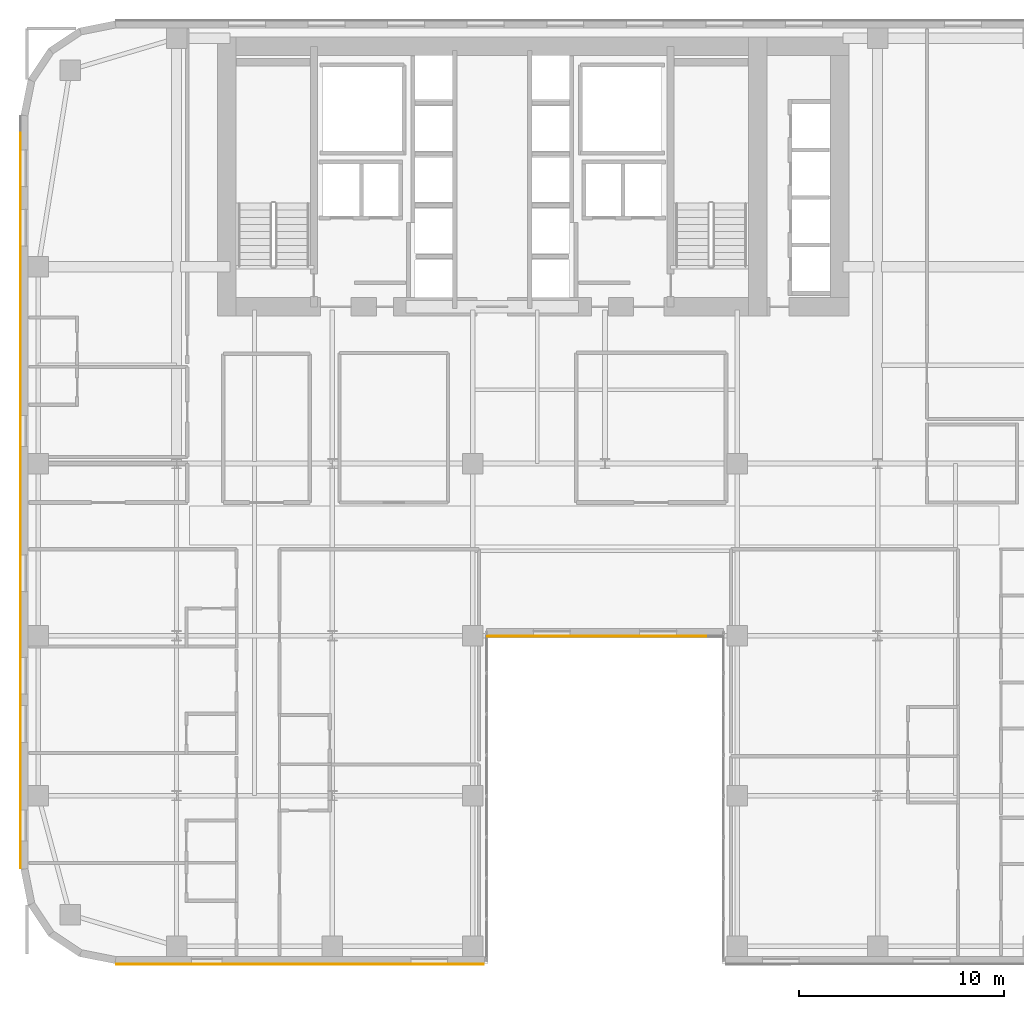
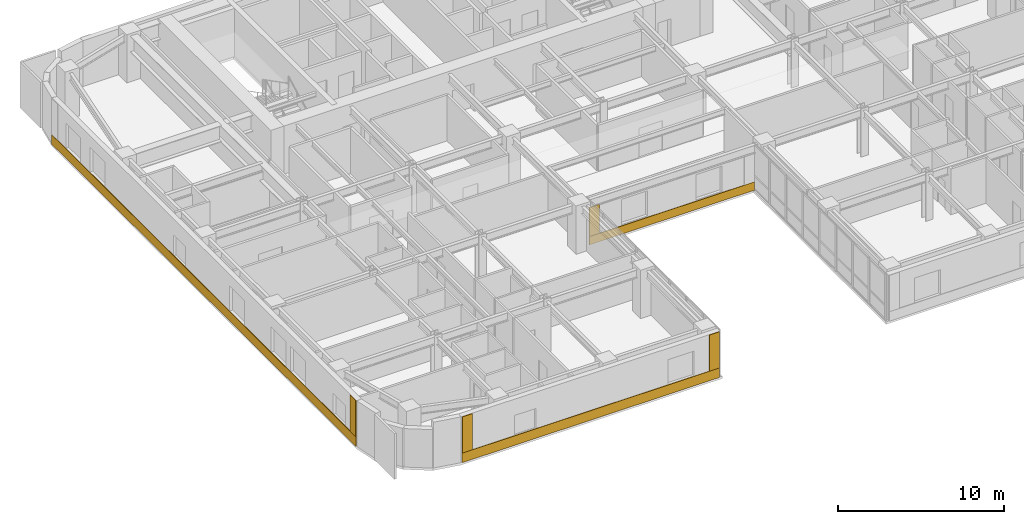
# One storey, part 20 of 25: 7 coverings.
"""IFC4 building model written with IfcOpenShell, lengths in metres."""

from ifc_helpers import new_model, si_unit, direction, frame, origin, place, context, subcontext, project, spatial, polyline, outline, extrude, material, layer, layer_set, type_object, element, save


model = new_model("IFC4")

# Units and contexts
model_context = context("Model", 3, precision=1e-05, world=origin(), true_north=direction((0.0, 1.0)))
body_context = subcontext(model_context, "Body", "Model", "MODEL_VIEW")
ifc_project = project(units=[si_unit("LENGTHUNIT", "METRE"), si_unit("AREAUNIT", "SQUARE_METRE"), si_unit("VOLUMEUNIT", "CUBIC_METRE"), si_unit("PLANEANGLEUNIT", "RADIAN"), si_unit("MASSUNIT", "GRAM", prefix="KILO")], contexts=[model_context])

# Site, building, storey
site_placement = place(None, origin())
site = spatial("IfcSite", under=ifc_project, at=site_placement, CompositionType="ELEMENT")
building_placement = place(site_placement, origin())
building = spatial("IfcBuilding", under=site, at=building_placement, Name="Tolvann Quenvar Hotel", CompositionType="ELEMENT")
storey_placement = place(building_placement, frame((0.0, 0.0, 60.39990234375)))
storey = spatial("IfcBuildingStorey", under=building, at=storey_placement, Name="L14", CompositionType="ELEMENT", Elevation=60.39990234375)

# Coverings
ifc_material_1 = material(Name="Kiln-fired red architectural face brick cladding", Category="masonry")
ifc_layer_1 = layer(ifc_material_1, 0.0400390625)
ifc_layer_set_1 = layer_set([ifc_layer_1], Name="Kiln-fired red architectural face brick cladding")
covering_type_1 = type_object("IfcCoveringType", Name="COV_CLAD_BRICK_40", PredefinedType="CLADDING", material=ifc_layer_set_1)
covering_1_placement = place(storey_placement, frame((0.0, 0.0, 0.7001953125)))
element("IfcCovering", 1, at=covering_1_placement, inside=storey, type_object=covering_type_1, Name="Brick Pier Cladding (L14-E04-P1)", PredefinedType="CLADDING", context=body_context, shape_type="SweptSolid", body=[
    extrude(outline(polyline([(4.667236328125, 0.0), (5.3671875, 0.0), (5.3671875, -0.0400390625), (4.667236328125, -0.0400390625), (4.667236328125, 0.0)])), origin(), (0.0, 0.0, 1.0), 2.669921875),
])
covering_2_placement = place(storey_placement, frame((0.0, 0.0, 0.7001953125)))
element("IfcCovering", 2, at=covering_2_placement, inside=storey, type_object=covering_type_1, Name="Brick Pier Cladding (L14-E04-P2)", PredefinedType="CLADDING", context=body_context, shape_type="SweptSolid", body=[
    extrude(outline(polyline([(21.875, 0.0), (22.574951171875, 0.0), (22.574951171875, -0.0400390625), (21.875, -0.0400390625), (21.875, 0.0)])), origin(), (0.0, 0.0, 1.0), 2.669921875),
])
covering_3_placement = place(storey_placement, frame((0.0, 0.0, 0.604736328125)))
element("IfcCovering", 3, at=covering_3_placement, inside=storey, type_object=covering_type_1, Name="Brick Pier Cladding (L14-E06-P1)", PredefinedType="CLADDING", context=body_context, shape_type="SweptSolid", body=[
    extrude(outline(polyline([(22.760009765625, 16.0), (23.4599609375, 16.0), (23.4599609375, 15.9599609375), (22.760009765625, 15.9599609375), (22.760009765625, 16.0)])), origin(), (0.0, 0.0, 1.0), 2.143310546875),
])
covering_4_placement = place(storey_placement, frame((0.0, 0.0, 0.7001953125)))
element("IfcCovering", 4, at=covering_4_placement, inside=storey, type_object=covering_type_1, Name="Brick Pier Cladding (L14-E23-P2)", PredefinedType="CLADDING", context=body_context, shape_type="SweptSolid", body=[
    extrude(outline(polyline([(0.0, 5.3671875), (0.0, 4.667236328125), (-0.0400390625, 4.667236328125), (-0.0400390625, 5.3671875), (0.0, 5.3671875)])), origin(), (0.0, 0.0, 1.0), 2.669921875),
])
ifc_material_2 = material(Name="Moulded buff architectural terracotta spandrel cladding", Category="masonry")
ifc_layer_2 = layer(ifc_material_2, 0.0400390625)
ifc_layer_set_2 = layer_set([ifc_layer_2], Name="Moulded buff architectural terracotta spandrel cladding")
covering_type_2 = type_object("IfcCoveringType", Name="COV_CLAD_TERRA_40", PredefinedType="CLADDING", material=ifc_layer_set_2)
covering_5_placement = place(storey_placement, origin())
element("IfcCovering", 5, at=covering_5_placement, inside=storey, type_object=covering_type_2, Name="Terracotta Spandrel Cladding (L14-E04)", PredefinedType="CLADDING", context=body_context, shape_type="SweptSolid", body=[
    extrude(outline(polyline([(4.6572265625, 0.0), (22.5849609375, 0.0), (22.5849609375, -0.0400390625), (4.6572265625, -0.0400390625), (4.6572265625, 0.0)])), origin(), (0.0, 0.0, 1.0), 0.7001953125),
])
covering_6_placement = place(storey_placement, origin())
element("IfcCovering", 6, at=covering_6_placement, inside=storey, type_object=covering_type_2, Name="Terracotta Spandrel Cladding (L14-E06)", PredefinedType="CLADDING", context=body_context, shape_type="SweptSolid", body=[
    extrude(outline(polyline([(22.75, 16.0), (34.25, 16.0), (34.25, 15.9599609375), (22.75, 15.9599609375), (22.75, 16.0)])), origin(), (0.0, 0.0, 1.0), 0.604736328125),
])
covering_7_placement = place(storey_placement, origin())
element("IfcCovering", 7, at=covering_7_placement, inside=storey, type_object=covering_type_2, Name="Terracotta Spandrel Cladding (L14-E23)", PredefinedType="CLADDING", context=body_context, shape_type="SweptSolid", body=[
    extrude(outline(polyline([(0.0, 41.3427734375), (0.0, 4.6572265625), (-0.0400390625, 4.6572265625), (-0.0400390625, 41.3427734375), (0.0, 41.3427734375)])), origin(), (0.0, 0.0, 1.0), 0.7001953125),
])

save(model, "model.ifc")
